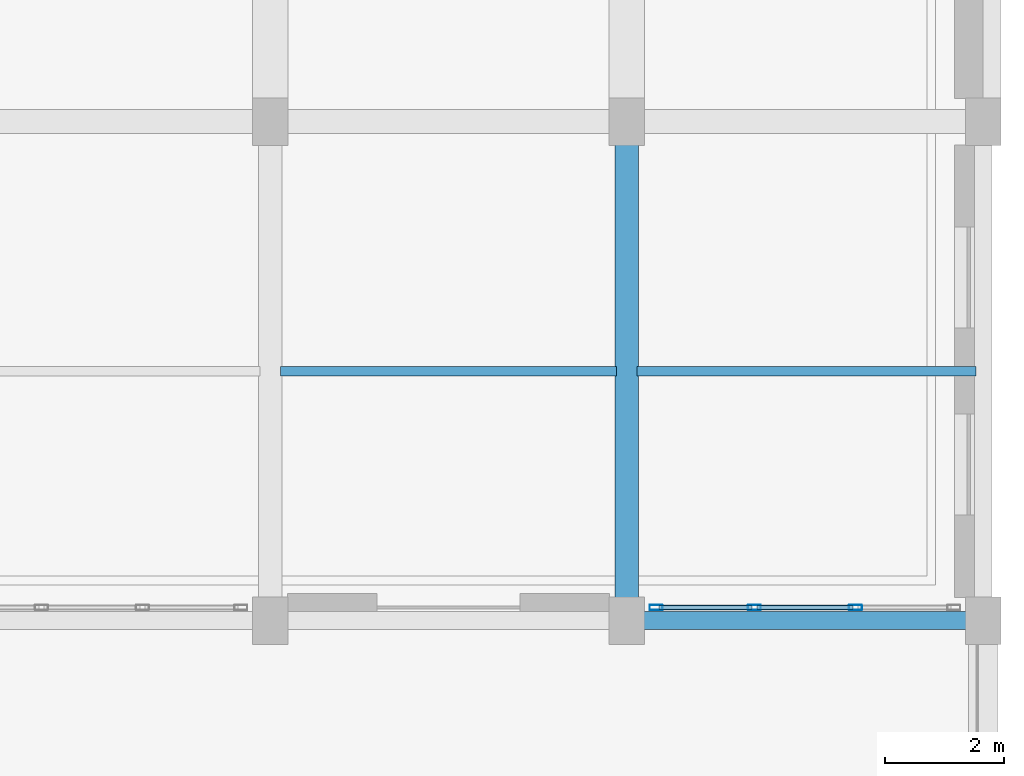
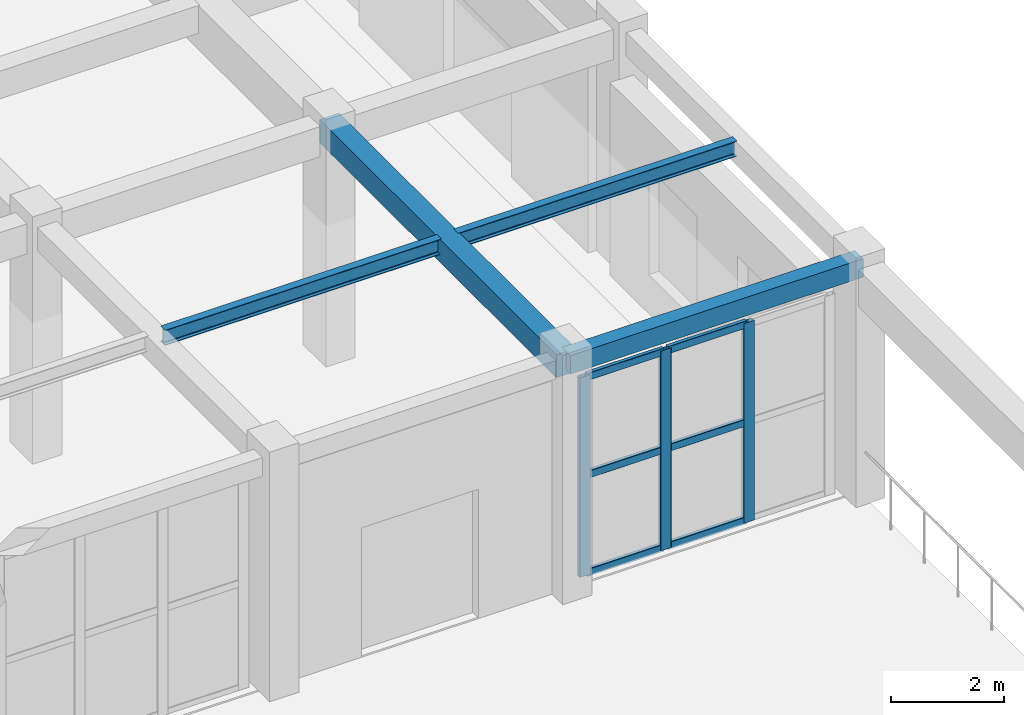
# One storey, part 50 of 98: 9 members, 4 beams, 1 element without a shape of its own.
"""IFC4 building model written with IfcOpenShell, lengths in metres."""

from ifc_helpers import new_model, si_unit, direction, frame, origin, origin_2d, place, context, subcontext, project, spatial, rectangle, hollow_rectangle, i_section, extrude, material, layer, layer_set, material_profile, profile_set, type_object, element, aggregate, save


model = new_model("IFC4")

# Units and contexts
model_context = context("Model", 3, precision=1e-05, world=origin(), true_north=direction((0.0, 1.0)))
body_context = subcontext(model_context, "Body", "Model", "MODEL_VIEW")
ifc_project = project(units=[si_unit("LENGTHUNIT", "METRE"), si_unit("AREAUNIT", "SQUARE_METRE"), si_unit("VOLUMEUNIT", "CUBIC_METRE"), si_unit("PLANEANGLEUNIT", "RADIAN"), si_unit("MASSUNIT", "GRAM", prefix="KILO")], contexts=[model_context])

# Site, building, storey
site_placement = place(None, origin())
site = spatial("IfcSite", under=ifc_project, at=site_placement, CompositionType="ELEMENT")
building_placement = place(site_placement, origin())
building = spatial("IfcBuilding", under=site, at=building_placement, Name="Tarnavel Promenade Courthouse", CompositionType="ELEMENT")
storey_placement = place(building_placement, origin())
storey = spatial("IfcBuildingStorey", under=building, at=storey_placement, Name="L01", CompositionType="ELEMENT", Elevation=0.0)

# Beams
ifc_material_1 = material(Name="Concrete C40/50", Category="concrete")
ifc_material_profile_1 = material_profile(ifc_material_1, rectangle(XDim=0.39990234375, YDim=0.5, at=origin_2d()), Name="RC 400x500")
ifc_profile_set_1 = profile_set([ifc_material_profile_1], Name="Concrete C40/50")
beam_type_1 = type_object("IfcBeamType", Name="Concrete C40/50 BM-RC-400x500 (RC 400x500)", PredefinedType="BEAM", material=ifc_profile_set_1)
beam_1_placement = place(storey_placement, frame((156.0, 28.800048828125, 4.885009765625), z_axis=(0.0, 1.0, 0.0), x_axis=(-1.0, 0.0, 0.0)))
element("IfcBeam", 1, at=beam_1_placement, inside=storey, type_object=beam_type_1, Name="L01 Transverse Girder 0876", PredefinedType="BEAM", context=body_context, shape_type="SweptSolid", body=[
    extrude(rectangle(XDim=0.39990234375, YDim=0.5, at=origin_2d()), origin(), (0.0, 0.0, 1.0), 8.39990234375),
])
ifc_material_profile_2 = material_profile(ifc_material_1, rectangle(XDim=0.300048828125, YDim=0.39990234375, at=origin_2d()), Name="RC 300x400")
ifc_profile_set_2 = profile_set([ifc_material_profile_2], Name="Concrete C40/50")
beam_type_2 = type_object("IfcBeamType", Name="Concrete C40/50 BM-SP-300x400 (RC 300x400)", PredefinedType="SPANDREL", material=ifc_profile_set_2)
beam_2_placement = place(storey_placement, frame((156.0, 28.800048828125, 4.93505859375), z_axis=(1.0, 0.0, 0.0), x_axis=(0.0, 1.0, 0.0)))
element("IfcBeam", 2, at=beam_2_placement, inside=storey, type_object=beam_type_2, Name="L01 Primary Longitudinal Beam 0597", PredefinedType="SPANDREL", context=body_context, shape_type="SweptSolid", body=[
    extrude(rectangle(XDim=0.300048828125, YDim=0.39990234375, at=origin_2d()), origin(), (0.0, 0.0, 1.0), 6.0),
])
ifc_material_2 = material(Name="Steel S355J2", Category="steel")
ifc_material_profile_3 = material_profile(ifc_material_2, i_section(OverallWidth=0.159912109375, OverallDepth=0.330078125, WebThickness=0.007568359375, FlangeThickness=0.011474609375, FilletRadius=0.01806640625, at=origin_2d()), Name="IPE 330")
ifc_profile_set_3 = profile_set([ifc_material_profile_3], Name="Steel S355J2")
beam_type_3 = type_object("IfcBeamType", Name="Steel S355J2 BM-ST-IPE330 (IPE 330)", PredefinedType="JOIST", material=ifc_profile_set_3)
beam_3_placement = place(storey_placement, frame((150.169921875, 33.0, 4.969970703125), z_axis=(1.0, 0.0, 0.0), x_axis=(0.0, 1.0, 0.0)))
element("IfcBeam", 3, at=beam_3_placement, inside=storey, type_object=beam_type_3, Name="L01 Secondary Floor Rib 0911", PredefinedType="JOIST", context=body_context, shape_type="SweptSolid", body=[
    extrude(i_section(OverallWidth=0.159912109375, OverallDepth=0.330078125, WebThickness=0.007568359375, FlangeThickness=0.011474609375, FilletRadius=0.01806640625, at=origin_2d()), origin(), (0.0, 0.0, 1.0), 5.66015625),
])
beam_4_placement = place(storey_placement, frame((156.169921875, 33.0, 4.969970703125), z_axis=(1.0, 0.0, 0.0), x_axis=(0.0, 1.0, 0.0)))
element("IfcBeam", 4, at=beam_4_placement, inside=storey, type_object=beam_type_3, Name="L01 Secondary Floor Rib 0912", PredefinedType="JOIST", context=body_context, shape_type="SweptSolid", body=[
    extrude(i_section(OverallWidth=0.159912109375, OverallDepth=0.330078125, WebThickness=0.007568359375, FlangeThickness=0.011474609375, FilletRadius=0.01806640625, at=origin_2d()), origin(), (0.0, 0.0, 1.0), 5.7099609375),
])

# Curtain wall, members
ifc_material_3 = material(Name="Thermally Broken Anodised Aluminium Curtain Wall System", Category="aluminium")
ifc_layer = layer(ifc_material_3, 0.199951171875)
ifc_layer_set = layer_set([ifc_layer], Name="Thermally Broken Anodised Aluminium Curtain Wall System")
curtain_wall_type = type_object("IfcCurtainWallType", Name="Thermally Broken Aluminium Triple-Glazed Curtain Wall CW-FOYER", PredefinedType="NOTDEFINED", material=ifc_layer_set)
curtain_wall_placement = place(storey_placement, origin())
curtain_wall = element("IfcCurtainWall", 5, at=curtain_wall_placement, inside=storey, type_object=curtain_wall_type, Name="L01 Ceremonial Cloister Curtain Wall 163", PredefinedType="NOTDEFINED")
ifc_material_4 = material(Name="Thermally Broken Anodised Aluminium Frame", Category="aluminium")
ifc_material_profile_4 = material_profile(ifc_material_4, hollow_rectangle(XDim=0.090087890625, YDim=0.219970703125, WallThickness=0.0048828125, InnerFilletRadius=0.0048828125, OuterFilletRadius=0.010009765625, at=origin_2d()), Name="CWM 220x90x5")
ifc_profile_set_4 = profile_set([ifc_material_profile_4], Name="Thermally Broken Anodised Aluminium Frame")
member_type_1 = type_object("IfcMemberType", Name="Thermally Broken Anodised Aluminium CWM-175 (CWM 220x90x5)", PredefinedType="MULLION", material=ifc_profile_set_4)
member_1_placement = place(storey_placement, frame((156.4951171875, 29.02001953125, 0.0), z_axis=(0.0, 0.0, 1.0), x_axis=(0.0, 1.0, 0.0)))
member_1 = element("IfcMember", 6, at=member_1_placement, type_object=member_type_1, Name="CW-04 mullion 1", PredefinedType="MULLION", context=body_context, shape_type="SweptSolid", body=[
    extrude(hollow_rectangle(XDim=0.090087890625, YDim=0.219970703125, WallThickness=0.0048828125, InnerFilletRadius=0.0048828125, OuterFilletRadius=0.010009765625, at=origin_2d()), origin(), (0.0, 0.0, 1.0), 4.320068359375),
])
member_2_placement = place(storey_placement, frame((158.14990234375, 29.02001953125, 0.0), z_axis=(0.0, 0.0, 1.0), x_axis=(0.0, 1.0, 0.0)))
member_2 = element("IfcMember", 7, at=member_2_placement, type_object=member_type_1, Name="CW-04 mullion 2", PredefinedType="MULLION", context=body_context, shape_type="SweptSolid", body=[
    extrude(hollow_rectangle(XDim=0.090087890625, YDim=0.219970703125, WallThickness=0.0048828125, InnerFilletRadius=0.0048828125, OuterFilletRadius=0.010009765625, at=origin_2d()), origin(), (0.0, 0.0, 1.0), 4.320068359375),
])
member_3_placement = place(storey_placement, frame((159.85009765625, 29.02001953125, 0.0), z_axis=(0.0, 0.0, 1.0), x_axis=(0.0, 1.0, 0.0)))
member_3 = element("IfcMember", 8, at=member_3_placement, type_object=member_type_1, Name="CW-04 mullion 3", PredefinedType="MULLION", context=body_context, shape_type="SweptSolid", body=[
    extrude(hollow_rectangle(XDim=0.090087890625, YDim=0.219970703125, WallThickness=0.0048828125, InnerFilletRadius=0.0048828125, OuterFilletRadius=0.010009765625, at=origin_2d()), origin(), (0.0, 0.0, 1.0), 4.320068359375),
])
ifc_material_profile_5 = material_profile(ifc_material_4, hollow_rectangle(XDim=0.080078125, YDim=0.159912109375, WallThickness=0.0048828125, InnerFilletRadius=0.0048828125, OuterFilletRadius=0.010009765625, at=origin_2d()), Name="CWT 160x80x5")
ifc_profile_set_5 = profile_set([ifc_material_profile_5], Name="Thermally Broken Anodised Aluminium Frame")
member_type_2 = type_object("IfcMemberType", Name="Thermally Broken Anodised Aluminium CWT-145 (CWT 160x80x5)", PredefinedType="USERDEFINED", material=ifc_profile_set_5)
member_4_placement = place(storey_placement, frame((156.5400390625, 29.02001953125, 0.0400390625), z_axis=(1.0, 0.0, 0.0), x_axis=(0.0, 1.0, 0.0)))
member_4 = element("IfcMember", 9, at=member_4_placement, type_object=member_type_2, Name="CW-04 transom 1.1", ObjectType="TRANSOM", PredefinedType="USERDEFINED", context=body_context, shape_type="SweptSolid", body=[
    extrude(hollow_rectangle(XDim=0.080078125, YDim=0.159912109375, WallThickness=0.0048828125, InnerFilletRadius=0.0048828125, OuterFilletRadius=0.010009765625, at=origin_2d()), origin(), (0.0, 0.0, 1.0), 1.56494140625),
])
member_5_placement = place(storey_placement, frame((156.5400390625, 29.02001953125, 2.159912109375), z_axis=(1.0, 0.0, 0.0), x_axis=(0.0, 1.0, 0.0)))
member_5 = element("IfcMember", 10, at=member_5_placement, type_object=member_type_2, Name="CW-04 transom 1.2", ObjectType="TRANSOM", PredefinedType="USERDEFINED", context=body_context, shape_type="SweptSolid", body=[
    extrude(hollow_rectangle(XDim=0.080078125, YDim=0.159912109375, WallThickness=0.0048828125, InnerFilletRadius=0.0048828125, OuterFilletRadius=0.010009765625, at=origin_2d()), origin(), (0.0, 0.0, 1.0), 1.56494140625),
])
member_6_placement = place(storey_placement, frame((156.5400390625, 29.02001953125, 4.280029296875), z_axis=(1.0, 0.0, 0.0), x_axis=(0.0, 1.0, 0.0)))
member_6 = element("IfcMember", 11, at=member_6_placement, type_object=member_type_2, Name="CW-04 transom 1.3", ObjectType="TRANSOM", PredefinedType="USERDEFINED", context=body_context, shape_type="SweptSolid", body=[
    extrude(hollow_rectangle(XDim=0.080078125, YDim=0.159912109375, WallThickness=0.0048828125, InnerFilletRadius=0.0048828125, OuterFilletRadius=0.010009765625, at=origin_2d()), origin(), (0.0, 0.0, 1.0), 1.56494140625),
])
member_7_placement = place(storey_placement, frame((158.195068359375, 29.02001953125, 0.0400390625), z_axis=(1.0, 0.0, 0.0), x_axis=(0.0, 1.0, 0.0)))
member_7 = element("IfcMember", 12, at=member_7_placement, type_object=member_type_2, Name="CW-04 transom 2.1", ObjectType="TRANSOM", PredefinedType="USERDEFINED", context=body_context, shape_type="SweptSolid", body=[
    extrude(hollow_rectangle(XDim=0.080078125, YDim=0.159912109375, WallThickness=0.0048828125, InnerFilletRadius=0.0048828125, OuterFilletRadius=0.010009765625, at=origin_2d()), origin(), (0.0, 0.0, 1.0), 1.60986328125),
])
member_8_placement = place(storey_placement, frame((158.195068359375, 29.02001953125, 2.159912109375), z_axis=(1.0, 0.0, 0.0), x_axis=(0.0, 1.0, 0.0)))
member_8 = element("IfcMember", 13, at=member_8_placement, type_object=member_type_2, Name="CW-04 transom 2.2", ObjectType="TRANSOM", PredefinedType="USERDEFINED", context=body_context, shape_type="SweptSolid", body=[
    extrude(hollow_rectangle(XDim=0.080078125, YDim=0.159912109375, WallThickness=0.0048828125, InnerFilletRadius=0.0048828125, OuterFilletRadius=0.010009765625, at=origin_2d()), origin(), (0.0, 0.0, 1.0), 1.60986328125),
])
member_9_placement = place(storey_placement, frame((158.195068359375, 29.02001953125, 4.280029296875), z_axis=(1.0, 0.0, 0.0), x_axis=(0.0, 1.0, 0.0)))
member_9 = element("IfcMember", 14, at=member_9_placement, type_object=member_type_2, Name="CW-04 transom 2.3", ObjectType="TRANSOM", PredefinedType="USERDEFINED", context=body_context, shape_type="SweptSolid", body=[
    extrude(hollow_rectangle(XDim=0.080078125, YDim=0.159912109375, WallThickness=0.0048828125, InnerFilletRadius=0.0048828125, OuterFilletRadius=0.010009765625, at=origin_2d()), origin(), (0.0, 0.0, 1.0), 1.60986328125),
])
aggregate(curtain_wall, [member_1, member_2, member_3, member_4, member_5, member_6, member_7, member_8, member_9])

save(model, "model.ifc")
